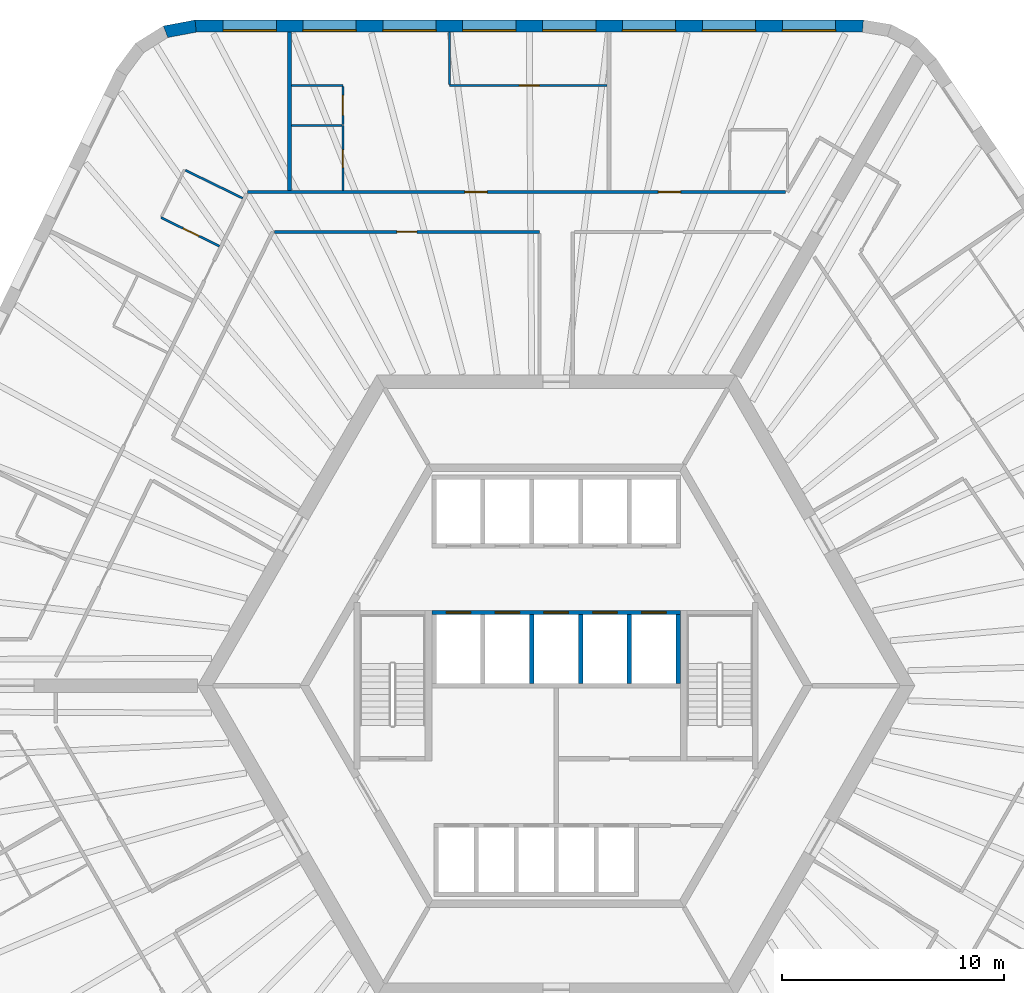
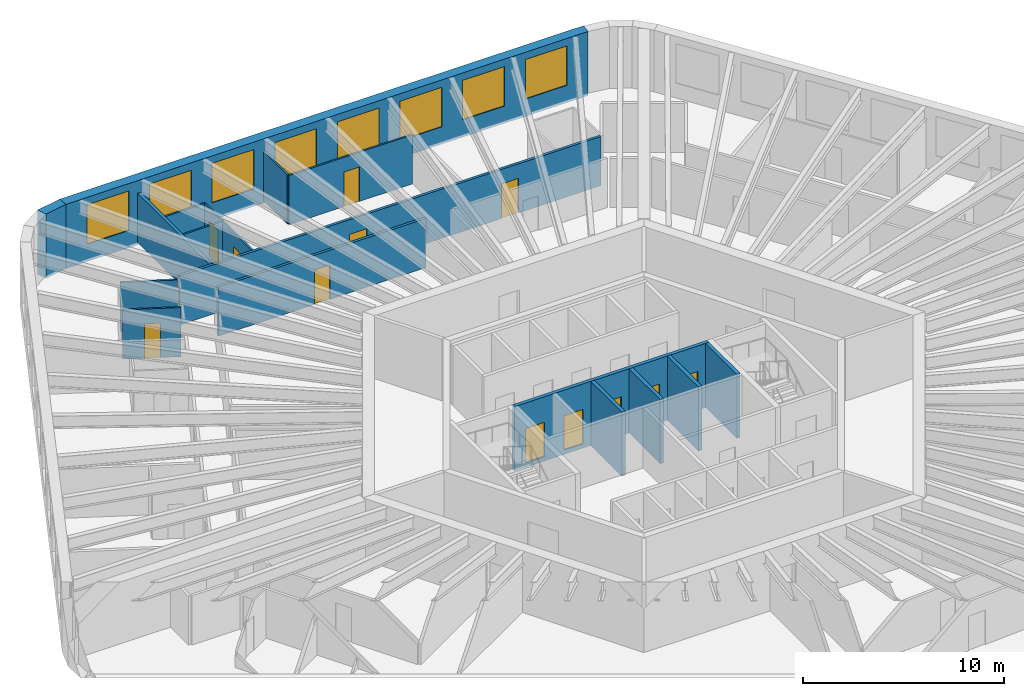
# One storey, part 8 of 11: 18 walls, 12 doors, 8 windows, 20 openings.
"""IFC4 building model written with IfcOpenShell, lengths in metres."""

from ifc_helpers import new_model, si_unit, direction, frame, frame_2d, origin, place, context, subcontext, project, spatial, polyline, rectangle, outline, extrude, material, layer, layer_set, type_object, element, fill, save


model = new_model("IFC4")

# Units and contexts
model_context = context("Model", 3, precision=1e-05, world=origin(), true_north=direction((0.0, 1.0)))
body_context = subcontext(model_context, "Body", "Model", "MODEL_VIEW")
ifc_project = project(units=[si_unit("LENGTHUNIT", "METRE"), si_unit("AREAUNIT", "SQUARE_METRE"), si_unit("VOLUMEUNIT", "CUBIC_METRE"), si_unit("PLANEANGLEUNIT", "RADIAN"), si_unit("MASSUNIT", "GRAM", prefix="KILO")], contexts=[model_context])

# Site, building, storey
site_placement = place(None, origin())
site = spatial("IfcSite", under=ifc_project, at=site_placement, CompositionType="ELEMENT")
building_placement = place(site_placement, origin())
building = spatial("IfcBuilding", under=site, at=building_placement, Name="Tarnside Tower", CompositionType="ELEMENT")
storey_placement = place(building_placement, frame((0.0, 0.0, 103.800048828125)))
storey = spatial("IfcBuildingStorey", under=building, at=storey_placement, Name="L23", CompositionType="ELEMENT", Elevation=103.800048828125)

# Wall, opening, door
ifc_material_1 = material(Name="Gypsum board partition on steel studs", Category="steel")
ifc_layer_1 = layer(ifc_material_1, 0.10009765625)
ifc_layer_set_1 = layer_set([ifc_layer_1], Name="Bathroom wall 100")
wall_type_1 = type_object("IfcWallType", Name="Bathroom wall 100", PredefinedType="PARTITIONING", material=ifc_layer_set_1)
wall_1_placement = place(storey_placement, frame((-9.611083984375, 25.25, 0.0), z_axis=(0.0, 0.0, 1.0), x_axis=(0.0, -1.0, 0.0)))
wall_1 = element("IfcWall", 1, at=wall_1_placement, inside=storey, type_object=wall_type_1, Name="Bathroom wall 07081", PredefinedType="PARTITIONING", context=body_context, shape_type="SweptSolid", body=[
    extrude(rectangle(XDim=2.925048828125, YDim=0.10009765625, at=frame_2d((1.46240234375, 0.0))), origin(), (0.0, 0.0, 1.0), 2.98779296875),
])
opening_1_placement = place(wall_1_placement, frame((1.10009765625, 0.0, 0.0)))
opening_1 = element("IfcOpeningElement", 2, at=opening_1_placement, cuts=wall_1, Name="Opening D-B1", PredefinedType="OPENING", context=body_context, shape_type="SweptSolid", body=[
    extrude(rectangle(XDim=0.800048828125, YDim=2.10009765625, at=frame_2d((0.39990234375, 1.050048828125))), frame((0.0, 0.06005859375, 0.0), z_axis=(0.0, -1.0, 0.0), x_axis=(1.0, 0.0, 0.0)), (0.0, 0.0, 1.0), 0.1201171875),
])
ifc_material_2 = material(Name="Timber door leaf", Category="wood")
door_type_1 = type_object("IfcDoorType", Name="Bathroom door 800", OperationType="NOTDEFINED", PredefinedType="DOOR", material=ifc_material_2)
door_1_placement = place(opening_1_placement, origin())
door_1 = element("IfcDoor", 3, at=door_1_placement, inside=storey, type_object=door_type_1, Name="Bathroom door 07004", OperationType="SINGLE_SWING_LEFT", OverallHeight=2.10009765625, OverallWidth=0.800048828125, PredefinedType="DOOR", context=body_context, shape_type="SweptSolid", body=[
    extrude(rectangle(XDim=0.800048828125, YDim=2.10009765625, at=frame_2d((0.39990234375, 1.050048828125))), frame((0.0, 0.02490234375, 0.0), z_axis=(0.0, -1.0, 0.0), x_axis=(1.0, 0.0, 0.0)), (0.0, 0.0, 1.0), 0.050048828125),
])
fill(opening_1, door_1)

# Wall
wall_2_placement = place(storey_placement, frame((-9.6611328125, 25.25, 0.0), z_axis=(0.0, 0.0, 1.0), x_axis=(-1.0, 0.0, 0.0)))
element("IfcWall", 4, at=wall_2_placement, inside=storey, type_object=wall_type_1, Name="Bathroom wall 07087", PredefinedType="PARTITIONING", context=body_context, shape_type="SweptSolid", body=[
    extrude(rectangle(XDim=2.260009765625, YDim=0.10009765625, at=frame_2d((1.1298828125, 0.0))), origin(), (0.0, 0.0, 1.0), 2.98779296875),
])

# Wall, opening, door
wall_3_placement = place(storey_placement, frame((-15.17626953125, 19.811279296875, 0.0), z_axis=(0.0, 0.0, 1.0), x_axis=(-0.898790906006, 0.438377585285, 0.0)))
wall_3 = element("IfcWall", 5, at=wall_3_placement, inside=storey, type_object=wall_type_1, Name="Bathroom wall 07090", PredefinedType="PARTITIONING", context=body_context, shape_type="SweptSolid", body=[
    extrude(rectangle(XDim=2.925048828125, YDim=0.10009765625, at=frame_2d((1.46240234375, 0.0))), origin(), (0.0, 0.0, 1.0), 2.98779296875),
])
opening_2_placement = place(wall_3_placement, frame((1.02490234375, 0.0, 0.0)))
opening_2 = element("IfcOpeningElement", 6, at=opening_2_placement, cuts=wall_3, Name="Opening D-B1", PredefinedType="OPENING", context=body_context, shape_type="SweptSolid", body=[
    extrude(rectangle(XDim=0.800048828125, YDim=2.10009765625, at=frame_2d((0.39990234375, 1.050048828125))), frame((0.0, 0.06005859375, 0.0), z_axis=(0.0, -1.0, 0.0), x_axis=(1.0, 0.0, 0.0)), (0.0, 0.0, 1.0), 0.1201171875),
])
door_2_placement = place(opening_2_placement, origin())
door_2 = element("IfcDoor", 7, at=door_2_placement, inside=storey, type_object=door_type_1, Name="Bathroom door 07008", OperationType="SINGLE_SWING_RIGHT", OverallHeight=2.10009765625, OverallWidth=0.800048828125, PredefinedType="DOOR", context=body_context, shape_type="SweptSolid", body=[
    extrude(rectangle(XDim=0.800048828125, YDim=2.10009765625, at=frame_2d((0.39990234375, 1.050048828125))), frame((0.0, 0.02490234375, 0.0), z_axis=(0.0, -1.0, 0.0), x_axis=(1.0, 0.0, 0.0)), (0.0, 0.0, 1.0), 0.050048828125),
])
fill(opening_2, door_2)

# Wall
wall_4_placement = place(storey_placement, frame((-16.708251953125, 23.228515625, 0.0), z_axis=(0.0, 0.0, 1.0), x_axis=(0.898799457159, -0.438360052708, 0.0)))
element("IfcWall", 8, at=wall_4_placement, inside=storey, type_object=wall_type_1, Name="Bathroom wall 07092", PredefinedType="PARTITIONING", context=body_context, shape_type="SweptSolid", body=[
    extrude(rectangle(XDim=2.875, YDim=0.10009765625, at=frame_2d((1.4375, 0.0))), origin(), (0.0, 0.0, 1.0), 2.98779296875),
])

# Wall, openings, doors
ifc_layer_2 = layer(ifc_material_1, 0.14990234375)
ifc_layer_set_2 = layer_set([ifc_layer_2], Name="Corridor wall 150 EI 60")
wall_type_2 = type_object("IfcWallType", Name="Corridor wall 150 EI 60", PredefinedType="PARTITIONING", material=ifc_layer_set_2)
wall_5_placement = place(storey_placement, frame((10.33447265625, 22.25, 0.0), z_axis=(0.0, 0.0, 1.0), x_axis=(-1.0, 0.0, 0.0)))
wall_5 = element("IfcWall", 9, at=wall_5_placement, inside=storey, type_object=wall_type_2, Name="Corridor wall 07001", PredefinedType="PARTITIONING", context=body_context, shape_type="SweptSolid", body=[
    extrude(rectangle(XDim=24.23779296875, YDim=0.14990234375, at=frame_2d((12.118896484375, 0.0))), origin(), (0.0, 0.0, 1.0), 2.98779296875),
])
opening_3_placement = place(wall_5_placement, frame((4.7294921875, 0.0, 0.0)))
opening_3 = element("IfcOpeningElement", 10, at=opening_3_placement, cuts=wall_5, Name="Opening D-E1", PredefinedType="OPENING", context=body_context, shape_type="SweptSolid", body=[
    extrude(rectangle(XDim=1.0, YDim=2.10009765625, at=frame_2d((0.5, 1.050048828125))), frame((0.0, 0.0849609375, 0.0), z_axis=(0.0, -1.0, 0.0), x_axis=(1.0, 0.0, 0.0)), (0.0, 0.0, 1.0), 0.169921875),
])
opening_4_placement = place(wall_5_placement, frame((13.445556640625, 0.0, 0.0)))
opening_4 = element("IfcOpeningElement", 11, at=opening_4_placement, cuts=wall_5, Name="Opening D-E1", PredefinedType="OPENING", context=body_context, shape_type="SweptSolid", body=[
    extrude(rectangle(XDim=1.0, YDim=2.10009765625, at=frame_2d((0.5, 1.050048828125))), frame((0.0, 0.0849609375, 0.0), z_axis=(0.0, -1.0, 0.0), x_axis=(1.0, 0.0, 0.0)), (0.0, 0.0, 1.0), 0.169921875),
])
door_type_2 = type_object("IfcDoorType", Name="Unit entrance door 1000 FD30S", OperationType="NOTDEFINED", PredefinedType="DOOR", material=ifc_material_2)
door_3_placement = place(opening_3_placement, origin())
door_3 = element("IfcDoor", 12, at=door_3_placement, inside=storey, type_object=door_type_2, Name="Unit door 07001", OperationType="SINGLE_SWING_LEFT", OverallHeight=2.10009765625, OverallWidth=1.0, PredefinedType="DOOR", context=body_context, shape_type="SweptSolid", body=[
    extrude(rectangle(XDim=1.0, YDim=2.10009765625, at=frame_2d((0.5, 1.050048828125))), frame((0.0, 0.02490234375, 0.0), z_axis=(0.0, -1.0, 0.0), x_axis=(1.0, 0.0, 0.0)), (0.0, 0.0, 1.0), 0.050048828125),
])
fill(opening_3, door_3)
door_4_placement = place(opening_4_placement, origin())
door_4 = element("IfcDoor", 13, at=door_4_placement, inside=storey, type_object=door_type_2, Name="Unit door 07003", OperationType="SINGLE_SWING_LEFT", OverallHeight=2.10009765625, OverallWidth=1.0, PredefinedType="DOOR", context=body_context, shape_type="SweptSolid", body=[
    extrude(rectangle(XDim=1.0, YDim=2.10009765625, at=frame_2d((0.5, 1.050048828125))), frame((0.0, 0.02490234375, 0.0), z_axis=(0.0, -1.0, 0.0), x_axis=(1.0, 0.0, 0.0)), (0.0, 0.0, 1.0), 0.050048828125),
])
fill(opening_4, door_4)

# Wall, opening, door
wall_6_placement = place(storey_placement, frame((-12.695068359375, 20.449951171875, 0.0), z_axis=(0.0, 0.0, 1.0), x_axis=(1.0, 0.0, 0.0)))
wall_6 = element("IfcWall", 14, at=wall_6_placement, inside=storey, type_object=wall_type_2, Name="Corridor wall 07020", PredefinedType="PARTITIONING", context=body_context, shape_type="SweptSolid", body=[
    extrude(rectangle(XDim=11.945068359375, YDim=0.14990234375, at=frame_2d((5.97265625, 0.0))), origin(), (0.0, 0.0, 1.0), 2.98779296875),
])
opening_5_placement = place(wall_6_placement, frame((5.5224609375, 0.0, 0.0)))
opening_5 = element("IfcOpeningElement", 15, at=opening_5_placement, cuts=wall_6, Name="Opening D-S1", PredefinedType="OPENING", context=body_context, shape_type="SweptSolid", body=[
    extrude(rectangle(XDim=0.89990234375, YDim=2.10009765625, at=frame_2d((0.449951171875, 1.050048828125))), frame((0.0, 0.0849609375, 0.0), z_axis=(0.0, -1.0, 0.0), x_axis=(1.0, 0.0, 0.0)), (0.0, 0.0, 1.0), 0.169921875),
])
door_type_3 = type_object("IfcDoorType", Name="Service room door 900 FD30S", OperationType="NOTDEFINED", PredefinedType="DOOR", material=ifc_material_2)
door_5_placement = place(opening_5_placement, origin())
door_5 = element("IfcDoor", 16, at=door_5_placement, inside=storey, type_object=door_type_3, Name="Service door 07042", OperationType="SINGLE_SWING_RIGHT", OverallHeight=2.10009765625, OverallWidth=0.89990234375, PredefinedType="DOOR", context=body_context, shape_type="SweptSolid", body=[
    extrude(rectangle(XDim=0.89990234375, YDim=2.10009765625, at=frame_2d((0.449951171875, 1.050048828125))), frame((0.0, 0.02490234375, 0.0), z_axis=(0.0, -1.0, 0.0), x_axis=(1.0, 0.0, 0.0)), (0.0, 0.0, 1.0), 0.050048828125),
])
fill(opening_5, door_5)

# Wall
ifc_layer_3 = layer(ifc_material_1, 0.179931640625)
ifc_layer_set_3 = layer_set([ifc_layer_3], Name="Demising wall 180 EI 60")
wall_type_3 = type_object("IfcWallType", Name="Demising wall 180 EI 60", PredefinedType="PARTITIONING", material=ifc_layer_set_3)
wall_7_placement = place(storey_placement, frame((-12.010986328125, 29.449951171875, 0.0), z_axis=(0.0, 0.0, 1.0), x_axis=(0.0, -1.0, 0.0)))
element("IfcWall", 17, at=wall_7_placement, inside=storey, type_object=wall_type_3, Name="Demising wall 07086", PredefinedType="PARTITIONING", context=body_context, shape_type="SweptSolid", body=[
    extrude(rectangle(XDim=7.125, YDim=0.179931640625, at=frame_2d((3.5625, 0.0))), origin(), (0.0, 0.0, 1.0), 2.98779296875),
])

# Wall, openings, doors
ifc_material_3 = material(Name="Concrete C40/50", Category="concrete")
ifc_layer_4 = layer(ifc_material_3, 0.199951171875)
ifc_layer_set_4 = layer_set([ifc_layer_4], Name="Lift shaft wall 200 C40/50")
wall_type_4 = type_object("IfcWallType", Name="Lift shaft wall 200 C40/50", PredefinedType="SHEAR", material=ifc_layer_set_4)
wall_8_placement = place(storey_placement, frame((-5.60009765625, 3.300048828125, -0.25), z_axis=(0.0, 0.0, 1.0), x_axis=(1.0, 0.0, 0.0)))
wall_8 = element("IfcWall", 18, at=wall_8_placement, inside=storey, type_object=wall_type_4, Name="L23 lift shaft front wall R2", PredefinedType="SHEAR", context=body_context, shape_type="SweptSolid", body=[
    extrude(rectangle(XDim=11.2001953125, YDim=0.199951171875, at=frame_2d((5.60009765625, 0.0))), origin(), (0.0, 0.0, 1.0), 3.89990234375),
])
opening_6_placement = place(wall_8_placement, frame((0.64990234375, 0.0, 0.25)))
opening_6 = element("IfcOpeningElement", 19, at=opening_6_placement, cuts=wall_8, Name="Opening LD", PredefinedType="OPENING", context=body_context, shape_type="SweptSolid", body=[
    extrude(rectangle(XDim=1.10009765625, YDim=2.10009765625, at=frame_2d((0.550048828125, 1.050048828125))), frame((0.0, 0.10986328125, 0.0), z_axis=(0.0, -1.0, 0.0), x_axis=(1.0, 0.0, 0.0)), (0.0, 0.0, 1.0), 0.219970703125),
])
opening_7_placement = place(wall_8_placement, frame((2.85009765625, 0.0, 0.25)))
opening_7 = element("IfcOpeningElement", 20, at=opening_7_placement, cuts=wall_8, Name="Opening LD", PredefinedType="OPENING", context=body_context, shape_type="SweptSolid", body=[
    extrude(rectangle(XDim=1.10009765625, YDim=2.10009765625, at=frame_2d((0.550048828125, 1.050048828125))), frame((0.0, 0.10986328125, 0.0), z_axis=(0.0, -1.0, 0.0), x_axis=(1.0, 0.0, 0.0)), (0.0, 0.0, 1.0), 0.219970703125),
])
opening_8_placement = place(wall_8_placement, frame((5.050048828125, 0.0, 0.25)))
opening_8 = element("IfcOpeningElement", 21, at=opening_8_placement, cuts=wall_8, Name="Opening LD", PredefinedType="OPENING", context=body_context, shape_type="SweptSolid", body=[
    extrude(rectangle(XDim=1.10009765625, YDim=2.10009765625, at=frame_2d((0.550048828125, 1.050048828125))), frame((0.0, 0.10986328125, 0.0), z_axis=(0.0, -1.0, 0.0), x_axis=(1.0, 0.0, 0.0)), (0.0, 0.0, 1.0), 0.219970703125),
])
opening_9_placement = place(wall_8_placement, frame((7.25, 0.0, 0.25)))
opening_9 = element("IfcOpeningElement", 22, at=opening_9_placement, cuts=wall_8, Name="Opening LD", PredefinedType="OPENING", context=body_context, shape_type="SweptSolid", body=[
    extrude(rectangle(XDim=1.10009765625, YDim=2.10009765625, at=frame_2d((0.550048828125, 1.050048828125))), frame((0.0, 0.10986328125, 0.0), z_axis=(0.0, -1.0, 0.0), x_axis=(1.0, 0.0, 0.0)), (0.0, 0.0, 1.0), 0.219970703125),
])
opening_10_placement = place(wall_8_placement, frame((9.449951171875, 0.0, 0.25)))
opening_10 = element("IfcOpeningElement", 23, at=opening_10_placement, cuts=wall_8, Name="Opening LD", PredefinedType="OPENING", context=body_context, shape_type="SweptSolid", body=[
    extrude(rectangle(XDim=1.10009765625, YDim=2.10009765625, at=frame_2d((0.550048828125, 1.050048828125))), frame((0.0, 0.10986328125, 0.0), z_axis=(0.0, -1.0, 0.0), x_axis=(1.0, 0.0, 0.0)), (0.0, 0.0, 1.0), 0.219970703125),
])
ifc_material_4 = material(Name="Stainless steel", Category="steel")
door_type_4 = type_object("IfcDoorType", Name="Lift landing door 1100x2100", OperationType="NOTDEFINED", PredefinedType="DOOR", material=ifc_material_4)
door_6_placement = place(opening_6_placement, origin())
door_6 = element("IfcDoor", 24, at=door_6_placement, inside=storey, type_object=door_type_4, Name="Low-rise lift 4 landing door L23", OperationType="SLIDING_TO_LEFT", OverallHeight=2.10009765625, OverallWidth=1.10009765625, PredefinedType="DOOR", context=body_context, shape_type="SweptSolid", body=[
    extrude(rectangle(XDim=1.10009765625, YDim=2.10009765625, at=frame_2d((0.550048828125, 1.050048828125))), frame((0.0, 0.02490234375, 0.0), z_axis=(0.0, -1.0, 0.0), x_axis=(1.0, 0.0, 0.0)), (0.0, 0.0, 1.0), 0.050048828125),
])
fill(opening_6, door_6)
door_7_placement = place(opening_7_placement, origin())
door_7 = element("IfcDoor", 25, at=door_7_placement, inside=storey, type_object=door_type_4, Name="Low-rise lift 5 landing door L23", OperationType="SLIDING_TO_LEFT", OverallHeight=2.10009765625, OverallWidth=1.10009765625, PredefinedType="DOOR", context=body_context, shape_type="SweptSolid", body=[
    extrude(rectangle(XDim=1.10009765625, YDim=2.10009765625, at=frame_2d((0.550048828125, 1.050048828125))), frame((0.0, 0.02490234375, 0.0), z_axis=(0.0, -1.0, 0.0), x_axis=(1.0, 0.0, 0.0)), (0.0, 0.0, 1.0), 0.050048828125),
])
fill(opening_7, door_7)
door_8_placement = place(opening_8_placement, origin())
door_8 = element("IfcDoor", 26, at=door_8_placement, inside=storey, type_object=door_type_4, Name="Low-rise lift 6 landing door L23", OperationType="SLIDING_TO_LEFT", OverallHeight=2.10009765625, OverallWidth=1.10009765625, PredefinedType="DOOR", context=body_context, shape_type="SweptSolid", body=[
    extrude(rectangle(XDim=1.10009765625, YDim=2.10009765625, at=frame_2d((0.550048828125, 1.050048828125))), frame((0.0, 0.02490234375, 0.0), z_axis=(0.0, -1.0, 0.0), x_axis=(1.0, 0.0, 0.0)), (0.0, 0.0, 1.0), 0.050048828125),
])
fill(opening_8, door_8)
door_9_placement = place(opening_9_placement, origin())
door_9 = element("IfcDoor", 27, at=door_9_placement, inside=storey, type_object=door_type_4, Name="High sky-lobby shuttle 1 landing door L23", OperationType="SLIDING_TO_LEFT", OverallHeight=2.10009765625, OverallWidth=1.10009765625, PredefinedType="DOOR", context=body_context, shape_type="SweptSolid", body=[
    extrude(rectangle(XDim=1.10009765625, YDim=2.10009765625, at=frame_2d((0.550048828125, 1.050048828125))), frame((0.0, 0.02490234375, 0.0), z_axis=(0.0, -1.0, 0.0), x_axis=(1.0, 0.0, 0.0)), (0.0, 0.0, 1.0), 0.050048828125),
])
fill(opening_9, door_9)
door_10_placement = place(opening_10_placement, origin())
door_10 = element("IfcDoor", 28, at=door_10_placement, inside=storey, type_object=door_type_4, Name="Express sky-lobby shuttle 2 landing door L23", OperationType="SLIDING_TO_LEFT", OverallHeight=2.10009765625, OverallWidth=1.10009765625, PredefinedType="DOOR", context=body_context, shape_type="SweptSolid", body=[
    extrude(rectangle(XDim=1.10009765625, YDim=2.10009765625, at=frame_2d((0.550048828125, 1.050048828125))), frame((0.0, 0.02490234375, 0.0), z_axis=(0.0, -1.0, 0.0), x_axis=(1.0, 0.0, 0.0)), (0.0, 0.0, 1.0), 0.050048828125),
])
fill(opening_10, door_10)

# Walls
for number, where, z_axis, x_axis, name in (
    (29, (-1.10009765625, 0.10009765625, -0.25), (0.0, 0.0, 1.0), (0.0, 1.0, 0.0), "L23 lift shaft partition R23"),
    (30, (1.10009765625, 0.10009765625, -0.25), (0.0, 0.0, 1.0), (0.0, 1.0, 0.0), "L23 lift shaft partition R24"),
    (31, (3.300048828125, 0.10009765625, -0.25), (0.0, 0.0, 1.0), (0.0, 1.0, 0.0), "L23 lift shaft partition R25"),
    (32, (5.5, 0.10009765625, -0.25), (0.0, 0.0, 1.0), (0.0, 1.0, 0.0), "L23 lift shaft partition R26"),
):
    element("IfcWall", number, at=place(storey_placement, frame(where, z_axis=z_axis, x_axis=x_axis)), inside=storey, type_object=wall_type_4, Name=name, PredefinedType="SHEAR", context=body_context, shape_type="SweptSolid", body=[
        extrude(rectangle(XDim=3.099853515625, YDim=0.199951171875, at=frame_2d((1.5498046875, 0.0))), origin(), (0.0, 0.0, 1.0), 3.89990234375),
    ])
ifc_layer_5 = layer(ifc_material_1, 0.10009765625)
ifc_layer_set_5 = layer_set([ifc_layer_5], Name="Partition 100")
wall_type_5 = type_object("IfcWallType", Name="Partition 100", PredefinedType="PARTITIONING", material=ifc_layer_set_5)
wall_9_placement = place(storey_placement, frame((-11.921142578125, 27.050048828125, 0.0), z_axis=(0.0, 0.0, 1.0), x_axis=(1.0, 0.0, 0.0)))
element("IfcWall", 33, at=wall_9_placement, inside=storey, type_object=wall_type_5, Name="Partition wall 07082", PredefinedType="PARTITIONING", context=body_context, shape_type="SweptSolid", body=[
    extrude(rectangle(XDim=2.31005859375, YDim=0.10009765625, at=frame_2d((1.155029296875, 0.0))), origin(), (0.0, 0.0, 1.0), 2.98779296875),
])

# Wall, opening, door
wall_10_placement = place(storey_placement, frame((-9.611083984375, 27.0, 0.0), z_axis=(0.0, 0.0, 1.0), x_axis=(0.0, -1.0, 0.0)))
wall_10 = element("IfcWall", 34, at=wall_10_placement, inside=storey, type_object=wall_type_5, Name="Partition wall 07083", PredefinedType="PARTITIONING", context=body_context, shape_type="SweptSolid", body=[
    extrude(rectangle(XDim=1.699951171875, YDim=0.10009765625, at=frame_2d((0.85009765625, 0.0))), origin(), (0.0, 0.0, 1.0), 2.98779296875),
])
opening_11_placement = place(wall_10_placement, frame((0.39990234375, 0.0, 0.0)))
opening_11 = element("IfcOpeningElement", 35, at=opening_11_placement, cuts=wall_10, Name="Opening D-I1", PredefinedType="OPENING", context=body_context, shape_type="SweptSolid", body=[
    extrude(rectangle(XDim=0.89990234375, YDim=2.10009765625, at=frame_2d((0.449951171875, 1.050048828125))), frame((0.0, 0.06005859375, 0.0), z_axis=(0.0, -1.0, 0.0), x_axis=(1.0, 0.0, 0.0)), (0.0, 0.0, 1.0), 0.1201171875),
])
door_type_5 = type_object("IfcDoorType", Name="Internal door 900", OperationType="NOTDEFINED", PredefinedType="DOOR", material=ifc_material_2)
door_11_placement = place(opening_11_placement, origin())
door_11 = element("IfcDoor", 36, at=door_11_placement, inside=storey, type_object=door_type_5, Name="Internal door 07005", OperationType="SINGLE_SWING_LEFT", OverallHeight=2.10009765625, OverallWidth=0.89990234375, PredefinedType="DOOR", context=body_context, shape_type="SweptSolid", body=[
    extrude(rectangle(XDim=0.89990234375, YDim=2.10009765625, at=frame_2d((0.449951171875, 1.050048828125))), frame((0.0, 0.02490234375, 0.0), z_axis=(0.0, -1.0, 0.0), x_axis=(1.0, 0.0, 0.0)), (0.0, 0.0, 1.0), 0.050048828125),
])
fill(opening_11, door_11)

wall_11_placement = place(storey_placement, frame((2.298828125, 27.050048828125, 0.0), z_axis=(0.0, 0.0, 1.0), x_axis=(-1.0, 0.0, 0.0)))
wall_11 = element("IfcWall", 37, at=wall_11_placement, inside=storey, type_object=wall_type_5, Name="Partition wall 07084", PredefinedType="PARTITIONING", context=body_context, shape_type="SweptSolid", body=[
    extrude(rectangle(XDim=7.10986328125, YDim=0.10009765625, at=frame_2d((3.554931640625, 0.0))), origin(), (0.0, 0.0, 1.0), 2.98779296875),
])
opening_12_placement = place(wall_11_placement, frame((3.06005859375, 0.0, 0.0)))
opening_12 = element("IfcOpeningElement", 38, at=opening_12_placement, cuts=wall_11, Name="Opening D-I1", PredefinedType="OPENING", context=body_context, shape_type="SweptSolid", body=[
    extrude(rectangle(XDim=0.89990234375, YDim=2.10009765625, at=frame_2d((0.449951171875, 1.050048828125))), frame((0.0, 0.06005859375, 0.0), z_axis=(0.0, -1.0, 0.0), x_axis=(1.0, 0.0, 0.0)), (0.0, 0.0, 1.0), 0.1201171875),
])
door_12_placement = place(opening_12_placement, origin())
door_12 = element("IfcDoor", 39, at=door_12_placement, inside=storey, type_object=door_type_5, Name="Internal door 07006", OperationType="SINGLE_SWING_RIGHT", OverallHeight=2.10009765625, OverallWidth=0.89990234375, PredefinedType="DOOR", context=body_context, shape_type="SweptSolid", body=[
    extrude(rectangle(XDim=0.89990234375, YDim=2.10009765625, at=frame_2d((0.449951171875, 1.050048828125))), frame((0.0, 0.02490234375, 0.0), z_axis=(0.0, -1.0, 0.0), x_axis=(1.0, 0.0, 0.0)), (0.0, 0.0, 1.0), 0.050048828125),
])
fill(opening_12, door_12)

# Wall
wall_12_placement = place(storey_placement, frame((-4.81103515625, 27.10009765625, 0.0), z_axis=(0.0, 0.0, 1.0), x_axis=(0.0, 1.0, 0.0)))
element("IfcWall", 40, at=wall_12_placement, inside=storey, type_object=wall_type_5, Name="Partition wall 07085", PredefinedType="PARTITIONING", context=body_context, shape_type="SweptSolid", body=[
    extrude(rectangle(XDim=2.349853515625, YDim=0.10009765625, at=frame_2d((1.1748046875, 0.0))), origin(), (0.0, 0.0, 1.0), 2.98779296875),
])

# Wall, openings, windows
ifc_material_5 = material(Name="Facing brick", Category="masonry")
ifc_layer_6 = layer(ifc_material_5, 0.10205078125)
ifc_material_6 = material(Name="Concrete C60/75 precast", Category="concrete")
ifc_layer_7 = layer(ifc_material_6, 0.347900390625)
ifc_material_7 = material(Name="Mineral wool insulation")
ifc_layer_8 = layer(ifc_material_7, 0.10009765625)
ifc_layer_set_6 = layer_set([ifc_layer_6, ifc_layer_7, ifc_layer_8], Name="Tube wall 550 brick faced")
wall_type_6 = type_object("IfcWallType", Name="Tube wall 550 brick faced", PredefinedType="SOLIDWALL", material=ifc_layer_set_6)
wall_13_placement = place(storey_placement, frame((13.824462890625, 29.72509765625, -0.150146484375), z_axis=(0.0, 0.0, 1.0), x_axis=(-1.0, 0.0, 0.0)))
wall_13 = element("IfcWall", 41, at=wall_13_placement, inside=storey, type_object=wall_type_6, Name="Tube wall L23 F1 flush 00", PredefinedType="SOLIDWALL", context=body_context, shape_type="SweptSolid", body=[
    extrude(outline(polyline([(-0.0224609375, -0.27490234375), (30.0966796875, -0.27490234375), (30.04541015625, 0.27490234375), (0.0224609375, 0.27490234375), (-0.0224609375, -0.27490234375)])), origin(), (0.0, 0.0, 1.0), 3.900146484375),
])
opening_13_placement = place(wall_13_placement, frame((1.235595703125, 0.0, 1.050048828125)))
opening_13 = element("IfcOpeningElement", 42, at=opening_13_placement, cuts=wall_13, Name="Opening WH", PredefinedType="OPENING", context=body_context, shape_type="SweptSolid", body=[
    extrude(rectangle(XDim=2.39990234375, YDim=2.39990234375, at=frame_2d((1.199951171875, 1.199951171875))), frame((0.0, 0.28515625, 0.0), z_axis=(0.0, -1.0, 0.0), x_axis=(1.0, 0.0, 0.0)), (0.0, 0.0, 1.0), 0.570068359375),
])
opening_14_placement = place(wall_13_placement, frame((4.83544921875, 0.0, 1.050048828125)))
opening_14 = element("IfcOpeningElement", 43, at=opening_14_placement, cuts=wall_13, Name="Opening WH", PredefinedType="OPENING", context=body_context, shape_type="SweptSolid", body=[
    extrude(rectangle(XDim=2.39990234375, YDim=2.39990234375, at=frame_2d((1.199951171875, 1.199951171875))), frame((0.0, 0.28515625, 0.0), z_axis=(0.0, -1.0, 0.0), x_axis=(1.0, 0.0, 0.0)), (0.0, 0.0, 1.0), 0.570068359375),
])
opening_15_placement = place(wall_13_placement, frame((8.435546875, 0.0, 1.050048828125)))
opening_15 = element("IfcOpeningElement", 44, at=opening_15_placement, cuts=wall_13, Name="Opening WH", PredefinedType="OPENING", context=body_context, shape_type="SweptSolid", body=[
    extrude(rectangle(XDim=2.39990234375, YDim=2.39990234375, at=frame_2d((1.199951171875, 1.199951171875))), frame((0.0, 0.28515625, 0.0), z_axis=(0.0, -1.0, 0.0), x_axis=(1.0, 0.0, 0.0)), (0.0, 0.0, 1.0), 0.570068359375),
])
opening_16_placement = place(wall_13_placement, frame((12.035400390625, 0.0, 1.050048828125)))
opening_16 = element("IfcOpeningElement", 45, at=opening_16_placement, cuts=wall_13, Name="Opening WH", PredefinedType="OPENING", context=body_context, shape_type="SweptSolid", body=[
    extrude(rectangle(XDim=2.39990234375, YDim=2.39990234375, at=frame_2d((1.199951171875, 1.199951171875))), frame((0.0, 0.28515625, 0.0), z_axis=(0.0, -1.0, 0.0), x_axis=(1.0, 0.0, 0.0)), (0.0, 0.0, 1.0), 0.570068359375),
])
opening_17_placement = place(wall_13_placement, frame((15.635498046875, 0.0, 1.050048828125)))
opening_17 = element("IfcOpeningElement", 46, at=opening_17_placement, cuts=wall_13, Name="Opening WH", PredefinedType="OPENING", context=body_context, shape_type="SweptSolid", body=[
    extrude(rectangle(XDim=2.39990234375, YDim=2.39990234375, at=frame_2d((1.199951171875, 1.199951171875))), frame((0.0, 0.28515625, 0.0), z_axis=(0.0, -1.0, 0.0), x_axis=(1.0, 0.0, 0.0)), (0.0, 0.0, 1.0), 0.570068359375),
])
opening_18_placement = place(wall_13_placement, frame((19.235595703125, 0.0, 1.050048828125)))
opening_18 = element("IfcOpeningElement", 47, at=opening_18_placement, cuts=wall_13, Name="Opening WH", PredefinedType="OPENING", context=body_context, shape_type="SweptSolid", body=[
    extrude(rectangle(XDim=2.39990234375, YDim=2.39990234375, at=frame_2d((1.199951171875, 1.199951171875))), frame((0.0, 0.28515625, 0.0), z_axis=(0.0, -1.0, 0.0), x_axis=(1.0, 0.0, 0.0)), (0.0, 0.0, 1.0), 0.570068359375),
])
opening_19_placement = place(wall_13_placement, frame((22.83544921875, 0.0, 1.050048828125)))
opening_19 = element("IfcOpeningElement", 48, at=opening_19_placement, cuts=wall_13, Name="Opening WH", PredefinedType="OPENING", context=body_context, shape_type="SweptSolid", body=[
    extrude(rectangle(XDim=2.39990234375, YDim=2.39990234375, at=frame_2d((1.199951171875, 1.199951171875))), frame((0.0, 0.28515625, 0.0), z_axis=(0.0, -1.0, 0.0), x_axis=(1.0, 0.0, 0.0)), (0.0, 0.0, 1.0), 0.570068359375),
])
opening_20_placement = place(wall_13_placement, frame((26.435546875, 0.0, 1.050048828125)))
opening_20 = element("IfcOpeningElement", 49, at=opening_20_placement, cuts=wall_13, Name="Opening WH", PredefinedType="OPENING", context=body_context, shape_type="SweptSolid", body=[
    extrude(rectangle(XDim=2.39990234375, YDim=2.39990234375, at=frame_2d((1.199951171875, 1.199951171875))), frame((0.0, 0.28515625, 0.0), z_axis=(0.0, -1.0, 0.0), x_axis=(1.0, 0.0, 0.0)), (0.0, 0.0, 1.0), 0.570068359375),
])
ifc_material_8 = material(Name="Aluminium-framed double glazing", Category="aluminium")
window_type = type_object("IfcWindowType", Name="Hotel window 2400 x 2400", PartitioningType="DOUBLE_PANEL_VERTICAL", PredefinedType="WINDOW", material=ifc_material_8)
window_1_placement = place(opening_13_placement, frame((0.0, 0.205078125, 0.0)))
window_1 = element("IfcWindow", 50, at=window_1_placement, inside=storey, type_object=window_type, Name="E.WN.L23.F1.00", OverallHeight=2.39990234375, OverallWidth=2.39990234375, PartitioningType="DOUBLE_PANEL_VERTICAL", PredefinedType="WINDOW", context=body_context, shape_type="SweptSolid", body=[
    extrude(rectangle(XDim=2.39990234375, YDim=2.39990234375, at=frame_2d((1.199951171875, 1.199951171875))), frame((0.0, 0.030029296875, 0.0), z_axis=(0.0, -1.0, 0.0), x_axis=(1.0, 0.0, 0.0)), (0.0, 0.0, 1.0), 0.06005859375),
])
fill(opening_13, window_1)
window_2_placement = place(opening_14_placement, frame((0.0, 0.205078125, 0.0)))
window_2 = element("IfcWindow", 51, at=window_2_placement, inside=storey, type_object=window_type, Name="E.WN.L23.F1.01", OverallHeight=2.39990234375, OverallWidth=2.39990234375, PartitioningType="DOUBLE_PANEL_VERTICAL", PredefinedType="WINDOW", context=body_context, shape_type="SweptSolid", body=[
    extrude(rectangle(XDim=2.39990234375, YDim=2.39990234375, at=frame_2d((1.199951171875, 1.199951171875))), frame((0.0, 0.030029296875, 0.0), z_axis=(0.0, -1.0, 0.0), x_axis=(1.0, 0.0, 0.0)), (0.0, 0.0, 1.0), 0.06005859375),
])
fill(opening_14, window_2)
window_3_placement = place(opening_15_placement, frame((0.0, 0.205078125, 0.0)))
window_3 = element("IfcWindow", 52, at=window_3_placement, inside=storey, type_object=window_type, Name="E.WN.L23.F1.02", OverallHeight=2.39990234375, OverallWidth=2.39990234375, PartitioningType="DOUBLE_PANEL_VERTICAL", PredefinedType="WINDOW", context=body_context, shape_type="SweptSolid", body=[
    extrude(rectangle(XDim=2.39990234375, YDim=2.39990234375, at=frame_2d((1.199951171875, 1.199951171875))), frame((0.0, 0.030029296875, 0.0), z_axis=(0.0, -1.0, 0.0), x_axis=(1.0, 0.0, 0.0)), (0.0, 0.0, 1.0), 0.06005859375),
])
fill(opening_15, window_3)
window_4_placement = place(opening_16_placement, frame((0.0, 0.205078125, 0.0)))
window_4 = element("IfcWindow", 53, at=window_4_placement, inside=storey, type_object=window_type, Name="E.WN.L23.F1.03", OverallHeight=2.39990234375, OverallWidth=2.39990234375, PartitioningType="DOUBLE_PANEL_VERTICAL", PredefinedType="WINDOW", context=body_context, shape_type="SweptSolid", body=[
    extrude(rectangle(XDim=2.39990234375, YDim=2.39990234375, at=frame_2d((1.199951171875, 1.199951171875))), frame((0.0, 0.030029296875, 0.0), z_axis=(0.0, -1.0, 0.0), x_axis=(1.0, 0.0, 0.0)), (0.0, 0.0, 1.0), 0.06005859375),
])
fill(opening_16, window_4)
window_5_placement = place(opening_17_placement, frame((0.0, 0.205078125, 0.0)))
window_5 = element("IfcWindow", 54, at=window_5_placement, inside=storey, type_object=window_type, Name="E.WN.L23.F1.04", OverallHeight=2.39990234375, OverallWidth=2.39990234375, PartitioningType="DOUBLE_PANEL_VERTICAL", PredefinedType="WINDOW", context=body_context, shape_type="SweptSolid", body=[
    extrude(rectangle(XDim=2.39990234375, YDim=2.39990234375, at=frame_2d((1.199951171875, 1.199951171875))), frame((0.0, 0.030029296875, 0.0), z_axis=(0.0, -1.0, 0.0), x_axis=(1.0, 0.0, 0.0)), (0.0, 0.0, 1.0), 0.06005859375),
])
fill(opening_17, window_5)
window_6_placement = place(opening_18_placement, frame((0.0, 0.205078125, 0.0)))
window_6 = element("IfcWindow", 55, at=window_6_placement, inside=storey, type_object=window_type, Name="E.WN.L23.F1.05", OverallHeight=2.39990234375, OverallWidth=2.39990234375, PartitioningType="DOUBLE_PANEL_VERTICAL", PredefinedType="WINDOW", context=body_context, shape_type="SweptSolid", body=[
    extrude(rectangle(XDim=2.39990234375, YDim=2.39990234375, at=frame_2d((1.199951171875, 1.199951171875))), frame((0.0, 0.030029296875, 0.0), z_axis=(0.0, -1.0, 0.0), x_axis=(1.0, 0.0, 0.0)), (0.0, 0.0, 1.0), 0.06005859375),
])
fill(opening_18, window_6)
window_7_placement = place(opening_19_placement, frame((0.0, 0.205078125, 0.0)))
window_7 = element("IfcWindow", 56, at=window_7_placement, inside=storey, type_object=window_type, Name="E.WN.L23.F1.06", OverallHeight=2.39990234375, OverallWidth=2.39990234375, PartitioningType="DOUBLE_PANEL_VERTICAL", PredefinedType="WINDOW", context=body_context, shape_type="SweptSolid", body=[
    extrude(rectangle(XDim=2.39990234375, YDim=2.39990234375, at=frame_2d((1.199951171875, 1.199951171875))), frame((0.0, 0.030029296875, 0.0), z_axis=(0.0, -1.0, 0.0), x_axis=(1.0, 0.0, 0.0)), (0.0, 0.0, 1.0), 0.06005859375),
])
fill(opening_19, window_7)
window_8_placement = place(opening_20_placement, frame((0.0, 0.205078125, 0.0)))
window_8 = element("IfcWindow", 57, at=window_8_placement, inside=storey, type_object=window_type, Name="E.WN.L23.F1.07", OverallHeight=2.39990234375, OverallWidth=2.39990234375, PartitioningType="DOUBLE_PANEL_VERTICAL", PredefinedType="WINDOW", context=body_context, shape_type="SweptSolid", body=[
    extrude(rectangle(XDim=2.39990234375, YDim=2.39990234375, at=frame_2d((1.199951171875, 1.199951171875))), frame((0.0, 0.030029296875, 0.0), z_axis=(0.0, -1.0, 0.0), x_axis=(1.0, 0.0, 0.0)), (0.0, 0.0, 1.0), 0.06005859375),
])
fill(opening_20, window_8)

# Wall
wall_14_placement = place(storey_placement, frame((-16.24658203125, 29.72509765625, -0.150146484375), z_axis=(0.0, 0.0, 1.0), x_axis=(-0.982705443133, -0.185175624845, 0.0)))
element("IfcWall", 58, at=wall_14_placement, inside=storey, type_object=wall_type_6, Name="Tube wall L23 F1 chord 01", PredefinedType="SOLIDWALL", context=body_context, shape_type="SweptSolid", body=[
    extrude(outline(polyline([(-0.025634765625, -0.27490234375), (1.430908203125, -0.27490234375), (1.327392578125, 0.27490234375), (0.025634765625, 0.27490234375), (-0.025634765625, -0.27490234375)])), origin(), (0.0, 0.0, 1.0), 3.900146484375),
])

save(model, "model.ifc")
